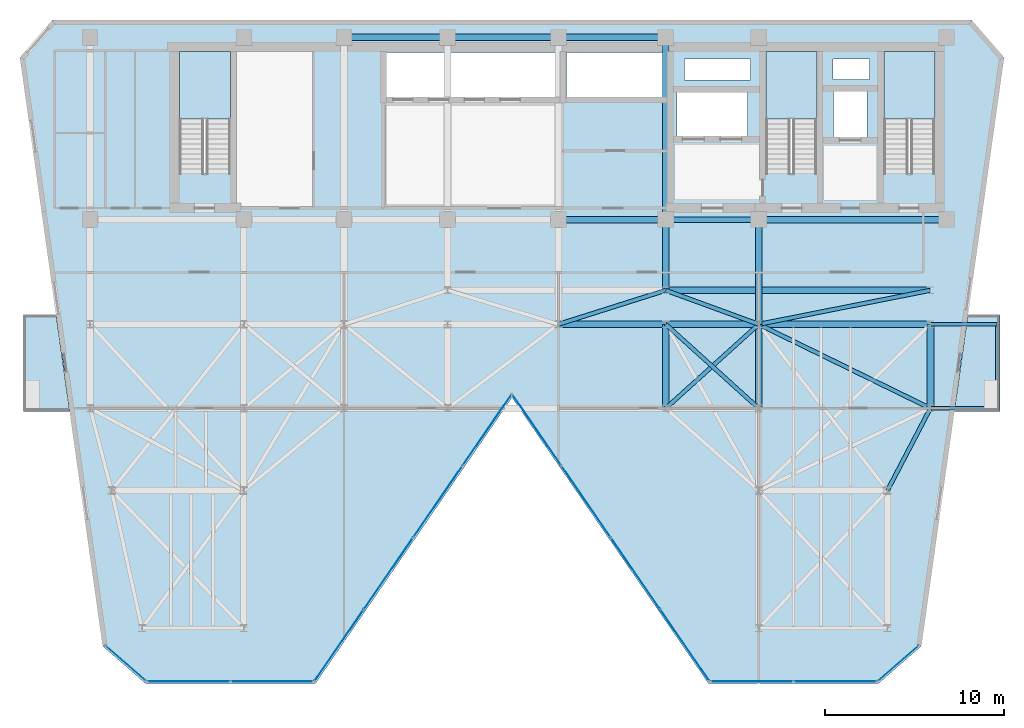
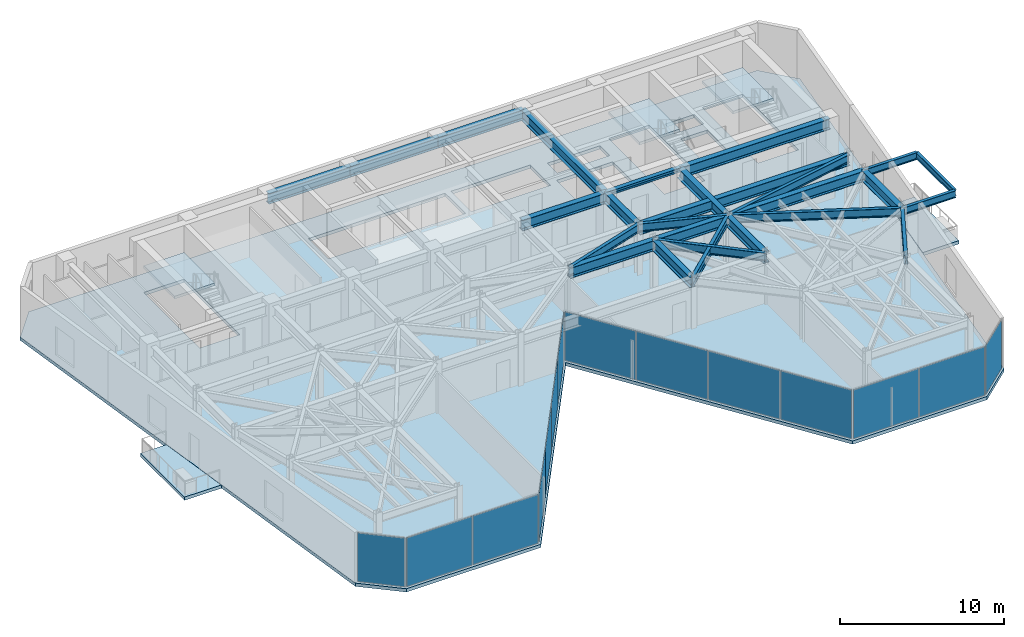
# One storey, part 15 of 21: 26 beams, 14 plates, 6 slabs, 9 elements without a shape of their own.
"""IFC4 building model written with IfcOpenShell, lengths in metres."""

from ifc_helpers import new_model, si_unit, direction, frame, origin, origin_2d, place, context, subcontext, project, spatial, polyline, rectangle, i_section, outline, extrude, material, layer, layer_set, material_profile, profile_set, type_object, element, aggregate, save


model = new_model("IFC4")

# Units and contexts
model_context = context("Model", 3, precision=1e-05, world=origin(), true_north=direction((0.0, 1.0)))
body_context = subcontext(model_context, "Body", "Model", "MODEL_VIEW")
ifc_project = project(units=[si_unit("LENGTHUNIT", "METRE"), si_unit("AREAUNIT", "SQUARE_METRE"), si_unit("VOLUMEUNIT", "CUBIC_METRE"), si_unit("PLANEANGLEUNIT", "RADIAN"), si_unit("MASSUNIT", "GRAM", prefix="KILO")], contexts=[model_context])

# Site, building, storey
site_placement = place(None, origin())
site = spatial("IfcSite", under=ifc_project, at=site_placement, CompositionType="ELEMENT")
building_placement = place(site_placement, origin())
building = spatial("IfcBuilding", under=site, at=building_placement, Name="Kravanh Interchange Tower", CompositionType="ELEMENT")
storey_placement = place(building_placement, frame((0.0, 0.0, 208.5)))
storey = spatial("IfcBuildingStorey", under=building, at=storey_placement, Name="L50", CompositionType="ELEMENT", Elevation=208.5)

# Beams
ifc_material_1 = material(Name="Structural Steel S355", Category="steel")
ifc_material_profile_1 = material_profile(ifc_material_1, i_section(OverallWidth=0.381103515625, OverallDepth=0.77294921875, WebThickness=0.0166015625, FlangeThickness=0.027099609375, FilletRadius=0.02490234375, at=origin_2d()), Name="W30X173")
ifc_profile_set_1 = profile_set([ifc_material_profile_1], Name="Structural Steel S355")
beam_type_1 = type_object("IfcBeamType", Name="Floor Beam W30X173 Structural Steel S355", PredefinedType="BEAM", material=ifc_profile_set_1)
beam_1_placement = place(storey_placement, frame((66.5, 37.35009765625, 3.368408203125), z_axis=(-1.0, 0.0, 0.0), x_axis=(0.0, -1.0, 0.0)))
element("IfcBeam", 1, at=beam_1_placement, inside=storey, type_object=beam_type_1, Name="L50 Primary Floor Girder 5", PredefinedType="BEAM", context=body_context, shape_type="SweptSolid", body=[
    extrude(i_section(OverallWidth=0.381103515625, OverallDepth=0.77294921875, WebThickness=0.0166015625, FlangeThickness=0.027099609375, FilletRadius=0.02490234375, at=origin_2d()), origin(), (0.0, 0.0, 1.0), 10.5),
])
beam_2_placement = place(storey_placement, frame((56.0, 37.35009765625, 3.368408203125), z_axis=(0.0, -1.0, 0.0), x_axis=(1.0, 0.0, 0.0)))
element("IfcBeam", 2, at=beam_2_placement, inside=storey, type_object=beam_type_1, Name="L50 Primary Floor Girder 7", PredefinedType="BEAM", context=body_context, shape_type="SweptSolid", body=[
    extrude(i_section(OverallWidth=0.381103515625, OverallDepth=0.77294921875, WebThickness=0.0166015625, FlangeThickness=0.027099609375, FilletRadius=0.02490234375, at=origin_2d()), origin(), (0.0, 0.0, 1.0), 5.85009765625),
])
beam_3_placement = place(storey_placement, frame((50.800048828125, 47.550048828125, 3.368408203125), z_axis=(-1.0, 0.0, 0.0), x_axis=(0.0, -1.0, 0.0)))
element("IfcBeam", 3, at=beam_3_placement, inside=storey, type_object=beam_type_1, Name="L50 Primary Floor Girder 8", PredefinedType="BEAM", context=body_context, shape_type="SweptSolid", body=[
    extrude(i_section(OverallWidth=0.381103515625, OverallDepth=0.77294921875, WebThickness=0.0166015625, FlangeThickness=0.027099609375, FilletRadius=0.02490234375, at=origin_2d()), origin(), (0.0, 0.0, 1.0), 6.0),
])
beam_4_placement = place(storey_placement, frame((50.800048828125, 47.550048828125, 3.368408203125), z_axis=(0.0, -1.0, 0.0), x_axis=(1.0, 0.0, 0.0)))
element("IfcBeam", 4, at=beam_4_placement, inside=storey, type_object=beam_type_1, Name="L50 Primary Floor Girder 9", PredefinedType="BEAM", context=body_context, shape_type="SweptSolid", body=[
    extrude(i_section(OverallWidth=0.381103515625, OverallDepth=0.77294921875, WebThickness=0.0166015625, FlangeThickness=0.027099609375, FilletRadius=0.02490234375, at=origin_2d()), origin(), (0.0, 0.0, 1.0), 10.199951171875),
])
beam_5_placement = place(storey_placement, frame((50.800048828125, 37.35009765625, 3.368408203125), z_axis=(0.0, -1.0, 0.0), x_axis=(1.0, 0.0, 0.0)))
element("IfcBeam", 5, at=beam_5_placement, inside=storey, type_object=beam_type_1, Name="L50 Primary Floor Girder 10", PredefinedType="BEAM", context=body_context, shape_type="SweptSolid", body=[
    extrude(i_section(OverallWidth=0.381103515625, OverallDepth=0.77294921875, WebThickness=0.0166015625, FlangeThickness=0.027099609375, FilletRadius=0.02490234375, at=origin_2d()), origin(), (0.0, 0.0, 1.0), 3.9501953125),
])
beam_6_placement = place(storey_placement, frame((50.800048828125, 37.35009765625, 3.368408203125), z_axis=(-1.0, 0.0, 0.0), x_axis=(0.0, -1.0, 0.0)))
element("IfcBeam", 6, at=beam_6_placement, inside=storey, type_object=beam_type_1, Name="L50 Primary Floor Girder 11", PredefinedType="BEAM", context=body_context, shape_type="SweptSolid", body=[
    extrude(i_section(OverallWidth=0.381103515625, OverallDepth=0.77294921875, WebThickness=0.0166015625, FlangeThickness=0.027099609375, FilletRadius=0.02490234375, at=origin_2d()), origin(), (0.0, 0.0, 1.0), 6.0),
])
beam_7_placement = place(storey_placement, frame((44.800048828125, 47.550048828125, 3.368408203125), z_axis=(-1.0, 0.0, 0.0), x_axis=(0.0, -1.0, 0.0)))
element("IfcBeam", 7, at=beam_7_placement, inside=storey, type_object=beam_type_1, Name="L50 Primary Floor Girder 15", PredefinedType="BEAM", context=body_context, shape_type="SweptSolid", body=[
    extrude(i_section(OverallWidth=0.381103515625, OverallDepth=0.77294921875, WebThickness=0.0166015625, FlangeThickness=0.027099609375, FilletRadius=0.02490234375, at=origin_2d()), origin(), (0.0, 0.0, 1.0), 6.199951171875),
])
beam_8_placement = place(storey_placement, frame((38.60009765625, 47.550048828125, 3.368408203125), z_axis=(-1.0, 0.0, 0.0), x_axis=(0.0, -1.0, 0.0)))
element("IfcBeam", 8, at=beam_8_placement, inside=storey, type_object=beam_type_1, Name="L50 Primary Floor Girder 19", PredefinedType="BEAM", context=body_context, shape_type="SweptSolid", body=[
    extrude(i_section(OverallWidth=0.381103515625, OverallDepth=0.77294921875, WebThickness=0.0166015625, FlangeThickness=0.027099609375, FilletRadius=0.02490234375, at=origin_2d()), origin(), (0.0, 0.0, 1.0), 5.800048828125),
])
for number, where, z_axis, x_axis, name in (
    (9, (50.800048828125, 26.800048828125, 3.368408203125), (0.0, 1.0, 0.0), (-1.0, 0.0, 0.0), "L50 Primary Floor Girder 49"),
    (10, (56.0, 26.800048828125, 3.368408203125), (0.0, 1.0, 0.0), (-1.0, 0.0, 0.0), "L50 Primary Floor Girder 54"),
    (11, (65.60009765625, 26.800048828125, 3.368408203125), (0.0, 1.0, 0.0), (-1.0, 0.0, 0.0), "L50 Primary Floor Girder 57"),
):
    element("IfcBeam", number, at=place(storey_placement, frame(where, z_axis=z_axis, x_axis=x_axis)), inside=storey, type_object=beam_type_1, Name=name, PredefinedType="BEAM", context=body_context, shape_type="SweptSolid", body=[
        extrude(i_section(OverallWidth=0.381103515625, OverallDepth=0.77294921875, WebThickness=0.0166015625, FlangeThickness=0.027099609375, FilletRadius=0.02490234375, at=origin_2d()), origin(), (0.0, 0.0, 1.0), 4.699951171875),
    ])
beam_9_placement = place(storey_placement, frame((44.800048828125, 31.5, 3.368408203125), z_axis=(1.0, 0.0, 0.0), x_axis=(0.0, 1.0, 0.0)))
element("IfcBeam", 12, at=beam_9_placement, inside=storey, type_object=beam_type_1, Name="L50 Primary Floor Girder 74", PredefinedType="BEAM", context=body_context, shape_type="SweptSolid", body=[
    extrude(i_section(OverallWidth=0.381103515625, OverallDepth=0.77294921875, WebThickness=0.0166015625, FlangeThickness=0.027099609375, FilletRadius=0.02490234375, at=origin_2d()), origin(), (0.0, 0.0, 1.0), 6.0),
])
beam_10_placement = place(storey_placement, frame((50.800048828125, 31.5, 3.368408203125), z_axis=(1.0, 0.0, 0.0), x_axis=(0.0, 1.0, 0.0)))
element("IfcBeam", 13, at=beam_10_placement, inside=storey, type_object=beam_type_1, Name="L50 Primary Floor Girder 77", PredefinedType="BEAM", context=body_context, shape_type="SweptSolid", body=[
    extrude(i_section(OverallWidth=0.381103515625, OverallDepth=0.77294921875, WebThickness=0.0166015625, FlangeThickness=0.027099609375, FilletRadius=0.02490234375, at=origin_2d()), origin(), (0.0, 0.0, 1.0), 5.199951171875),
])
beam_11_placement = place(storey_placement, frame((56.0, 31.5, 3.368408203125), z_axis=(1.0, 0.0, 0.0), x_axis=(0.0, 1.0, 0.0)))
element("IfcBeam", 14, at=beam_11_placement, inside=storey, type_object=beam_type_1, Name="L50 Primary Floor Girder 81", PredefinedType="BEAM", context=body_context, shape_type="SweptSolid", body=[
    extrude(i_section(OverallWidth=0.381103515625, OverallDepth=0.77294921875, WebThickness=0.0166015625, FlangeThickness=0.027099609375, FilletRadius=0.02490234375, at=origin_2d()), origin(), (0.0, 0.0, 1.0), 9.60009765625),
])
beam_12_placement = place(storey_placement, frame((50.800048828125, 33.39990234375, 3.368408203125), z_axis=(1.0, 0.0, 0.0), x_axis=(0.0, 1.0, 0.0)))
element("IfcBeam", 15, at=beam_12_placement, inside=storey, type_object=beam_type_1, Name="L50 Primary Floor Girder 95", PredefinedType="BEAM", context=body_context, shape_type="SweptSolid", body=[
    extrude(i_section(OverallWidth=0.381103515625, OverallDepth=0.77294921875, WebThickness=0.0166015625, FlangeThickness=0.027099609375, FilletRadius=0.02490234375, at=origin_2d()), origin(), (0.0, 0.0, 1.0), 14.800048828125),
])
ifc_material_2 = material(Name="Structural Steel S355", Category="steel")
ifc_material_profile_2 = material_profile(ifc_material_2, i_section(OverallWidth=0.18994140625, OverallDepth=0.45703125, WebThickness=0.009033203125, FlangeThickness=0.014404296875, FilletRadius=0.01806640625, at=origin_2d()), Name="W18X50")
ifc_profile_set_2 = profile_set([ifc_material_profile_2], Name="Structural Steel S355")
beam_type_2 = type_object("IfcBeamType", Name="Floor Joist W18X50 Structural Steel S355", PredefinedType="JOIST", material=ifc_profile_set_2)
beam_13_placement = place(storey_placement, frame((69.330078125, 26.800048828125, 3.526611328125), z_axis=(0.0, 1.0, 0.0), x_axis=(-1.0, 0.0, 0.0)))
element("IfcBeam", 16, at=beam_13_placement, inside=storey, type_object=beam_type_2, Name="L50 Balcony Edge Tie Beam E", PredefinedType="JOIST", context=body_context, shape_type="SweptSolid", body=[
    extrude(i_section(OverallWidth=0.18994140625, OverallDepth=0.45703125, WebThickness=0.009033203125, FlangeThickness=0.014404296875, FilletRadius=0.01806640625, at=origin_2d()), origin(), (0.0, 0.0, 1.0), 4.699951171875),
])
ifc_material_3 = material(Name="Structural Steel S355", Category="steel")
ifc_material_profile_3 = material_profile(ifc_material_3, i_section(OverallWidth=0.304931640625, OverallDepth=0.306884765625, WebThickness=0.010009765625, FlangeThickness=0.015380859375, FilletRadius=0.014892578125, at=origin_2d()), Name="W12X65")
ifc_profile_set_3 = profile_set([ifc_material_profile_3], Name="Structural Steel S355")
beam_type_3 = type_object("IfcBeamType", Name="Floor Lintel W12X65 Structural Steel S355", PredefinedType="LINTEL", material=ifc_profile_set_3)
beam_14_placement = place(storey_placement, frame((50.800048828125, 37.35009765625, 3.6015625), z_axis=(1.0, 0.0, 0.0), x_axis=(0.0, 1.0, 0.0)))
element("IfcBeam", 17, at=beam_14_placement, inside=storey, type_object=beam_type_3, Name="L50 Core Coupling Lintel 1", PredefinedType="LINTEL", context=body_context, shape_type="SweptSolid", body=[
    extrude(i_section(OverallWidth=0.304931640625, OverallDepth=0.306884765625, WebThickness=0.010009765625, FlangeThickness=0.015380859375, FilletRadius=0.014892578125, at=origin_2d()), origin(), (0.0, 0.0, 1.0), 5.199951171875),
])
ifc_material_4 = material(Name="Structural Steel S355", Category="steel")
ifc_material_profile_4 = material_profile(ifc_material_4, i_section(OverallWidth=0.2099609375, OverallDepth=0.537109375, WebThickness=0.010986328125, FlangeThickness=0.017333984375, FilletRadius=0.02001953125, at=origin_2d()), Name="W21X68")
ifc_profile_set_4 = profile_set([ifc_material_profile_4], Name="Structural Steel S355")
beam_type_4 = type_object("IfcBeamType", Name="Floor Spandrel W21X68 Structural Steel S355", PredefinedType="SPANDREL", material=ifc_profile_set_4)
for number, where, z_axis, x_axis, name in (
    (18, (65.60009765625, 26.800048828125, 3.486572265625), (1.0, 0.0, 0.0), (0.0, 1.0, 0.0), "L50 Balcony Cantilever Outrigger E1"),
    (19, (65.60009765625, 31.5, 3.486572265625), (1.0, 0.0, 0.0), (0.0, 1.0, 0.0), "L50 Balcony Cantilever Outrigger E2"),
):
    element("IfcBeam", number, at=place(storey_placement, frame(where, z_axis=z_axis, x_axis=x_axis)), inside=storey, type_object=beam_type_4, Name=name, PredefinedType="SPANDREL", context=body_context, shape_type="SweptSolid", body=[
        extrude(i_section(OverallWidth=0.2099609375, OverallDepth=0.537109375, WebThickness=0.010986328125, FlangeThickness=0.017333984375, FilletRadius=0.02001953125, at=origin_2d()), origin(), (0.0, 0.0, 1.0), 3.72998046875),
    ])
ifc_material_5 = material(Name="Structural Steel S355", Category="steel")
ifc_material_profile_5 = material_profile(ifc_material_5, i_section(OverallWidth=0.22802734375, OverallDepth=0.60791015625, WebThickness=0.01123046875, FlangeThickness=0.017333984375, FilletRadius=0.02197265625, at=origin_2d()), Name="W24X76")
ifc_profile_set_5 = profile_set([ifc_material_profile_5], Name="Structural Steel S355")
beam_type_5 = type_object("IfcBeamType", Name="Floor Spandrel W24X76 Structural Steel S355", PredefinedType="SPANDREL", material=ifc_profile_set_5)
for number, where, z_axis, x_axis, name in (
    (20, (50.800048828125, 26.800048828125, 3.450927734375), (0.741874009795, 0.670539300557, 0.0), (-0.670539300557, 0.741874009795, 0.0), "L50 Perimeter Spandrel 52"),
    (21, (56.0, 26.800048828125, 3.450927734375), (-0.741874009795, 0.670539300557, 0.0), (-0.670539300557, -0.741874009795, 0.0), "L50 Perimeter Spandrel 55"),
):
    element("IfcBeam", number, at=place(storey_placement, frame(where, z_axis=z_axis, x_axis=x_axis)), inside=storey, type_object=beam_type_5, Name=name, PredefinedType="SPANDREL", context=body_context, shape_type="SweptSolid", body=[
        extrude(i_section(OverallWidth=0.22802734375, OverallDepth=0.60791015625, WebThickness=0.01123046875, FlangeThickness=0.017333984375, FilletRadius=0.02197265625, at=origin_2d()), origin(), (0.0, 0.0, 1.0), 7.00927734375),
    ])
beam_15_placement = place(storey_placement, frame((65.60009765625, 26.800048828125, 3.450927734375), z_axis=(-0.462580479178, -0.886577295155, 0.0), x_axis=(0.886577295155, -0.462580479178, 0.0)))
element("IfcBeam", 22, at=beam_15_placement, inside=storey, type_object=beam_type_5, Name="L50 Perimeter Spandrel 58", PredefinedType="SPANDREL", context=body_context, shape_type="SweptSolid", body=[
    extrude(i_section(OverallWidth=0.22802734375, OverallDepth=0.60791015625, WebThickness=0.01123046875, FlangeThickness=0.017333984375, FilletRadius=0.02197265625, at=origin_2d()), origin(), (0.0, 0.0, 1.0), 5.188720703125),
])
beam_16_placement = place(storey_placement, frame((65.60009765625, 26.800048828125, 3.450927734375), z_axis=(-0.898141688387, 0.439706160499, 0.0), x_axis=(-0.439706160499, -0.898141688387, 0.0)))
element("IfcBeam", 23, at=beam_16_placement, inside=storey, type_object=beam_type_5, Name="L50 Perimeter Spandrel 60", PredefinedType="SPANDREL", context=body_context, shape_type="SweptSolid", body=[
    extrude(i_section(OverallWidth=0.22802734375, OverallDepth=0.60791015625, WebThickness=0.01123046875, FlangeThickness=0.017333984375, FilletRadius=0.02197265625, at=origin_2d()), origin(), (0.0, 0.0, 1.0), 10.68896484375),
])
beam_17_placement = place(storey_placement, frame((44.800048828125, 31.5, 3.450927734375), z_axis=(0.953346691051, 0.301877602122, 0.0), x_axis=(-0.301877602122, 0.953346691051, 0.0)))
element("IfcBeam", 24, at=beam_17_placement, inside=storey, type_object=beam_type_5, Name="L50 Perimeter Spandrel 75", PredefinedType="SPANDREL", context=body_context, shape_type="SweptSolid", body=[
    extrude(i_section(OverallWidth=0.22802734375, OverallDepth=0.60791015625, WebThickness=0.01123046875, FlangeThickness=0.017333984375, FilletRadius=0.02197265625, at=origin_2d()), origin(), (0.0, 0.0, 1.0), 6.293701171875),
])
beam_18_placement = place(storey_placement, frame((56.0, 31.5, 3.450927734375), z_axis=(-0.93926957103, 0.343180233896, 0.0), x_axis=(-0.343180233896, -0.93926957103, 0.0)))
element("IfcBeam", 25, at=beam_18_placement, inside=storey, type_object=beam_type_5, Name="L50 Perimeter Spandrel 80", PredefinedType="SPANDREL", context=body_context, shape_type="SweptSolid", body=[
    extrude(i_section(OverallWidth=0.22802734375, OverallDepth=0.60791015625, WebThickness=0.01123046875, FlangeThickness=0.017333984375, FilletRadius=0.02197265625, at=origin_2d()), origin(), (0.0, 0.0, 1.0), 5.5361328125),
])
beam_19_placement = place(storey_placement, frame((56.0, 31.5, 3.450927734375), z_axis=(0.980974000807, 0.194139150457, 0.0), x_axis=(-0.194139150457, 0.980974000807, 0.0)))
element("IfcBeam", 26, at=beam_19_placement, inside=storey, type_object=beam_type_5, Name="L50 Perimeter Spandrel 82", PredefinedType="SPANDREL", context=body_context, shape_type="SweptSolid", body=[
    extrude(i_section(OverallWidth=0.22802734375, OverallDepth=0.60791015625, WebThickness=0.01123046875, FlangeThickness=0.017333984375, FilletRadius=0.02197265625, at=origin_2d()), origin(), (0.0, 0.0, 1.0), 9.786376953125),
])

# Slab
ifc_material_6 = material(Name="Concrete C50/60", Category="concrete")
ifc_layer_1 = layer(ifc_material_6, 0.2451171875)
ifc_layer_set_1 = layer_set([ifc_layer_1], Name="Composite Floor Slab Concrete C50/60 245mm")
slab_type_1 = type_object("IfcSlabType", Name="Composite Floor Slab Concrete C50/60 245mm", PredefinedType="FLOOR", material=ifc_layer_set_1)
slab_1_placement = place(storey_placement, frame((0.0, 0.0, -0.2451171875)))
element("IfcSlab", 27, at=slab_1_placement, inside=storey, type_object=slab_type_1, Name="L50 Structural Floor Slab", PredefinedType="FLOOR", context=body_context, shape_type="SweptSolid", body=[
    extrude(outline(polyline([(19.32177734375, 13.4794921875), (21.714111328125, 11.39990234375), (31.199951171875, 11.39990234375), (42.199951171875, 27.39990234375), (53.199951171875, 11.39990234375), (62.685791015625, 11.39990234375), (65.078125, 13.4794921875), (69.707763671875, 46.42041015625), (67.89990234375, 48.5), (16.5, 48.5), (14.6923828125, 46.42041015625), (19.32177734375, 13.4794921875)]), holes=[polyline([(65.85009765625, 39.925048828125), (65.85009765625, 46.75), (63.0, 46.75), (63.0, 39.925048828125), (65.85009765625, 39.925048828125)]), polyline([(59.25, 39.925048828125), (59.25, 46.75), (56.39990234375, 46.75), (56.39990234375, 39.925048828125), (59.25, 39.925048828125)]), polyline([(26.449951171875, 39.925048828125), (26.449951171875, 46.75), (23.60009765625, 46.75), (23.60009765625, 39.925048828125), (26.449951171875, 39.925048828125)]), polyline([(35.179931640625, 44.219970703125), (44.840087890625, 44.219970703125), (44.840087890625, 46.699951171875), (35.179931640625, 46.699951171875), (35.179931640625, 44.219970703125)]), polyline([(45.239990234375, 44.219970703125), (50.840087890625, 44.219970703125), (50.840087890625, 46.699951171875), (45.239990234375, 46.699951171875), (45.239990234375, 44.219970703125)]), polyline([(51.419921875, 42.02001953125), (55.3798828125, 42.02001953125), (55.3798828125, 44.47998046875), (51.419921875, 44.47998046875), (51.419921875, 42.02001953125)]), polyline([(60.179931640625, 41.97998046875), (62.06005859375, 41.97998046875), (62.06005859375, 44.52001953125), (60.179931640625, 44.52001953125), (60.179931640625, 41.97998046875)]), polyline([(60.14990234375, 45.199951171875), (62.199951171875, 45.199951171875), (62.199951171875, 46.35009765625), (60.14990234375, 46.35009765625), (60.14990234375, 45.199951171875)]), polyline([(51.85009765625, 45.14990234375), (55.550048828125, 45.14990234375), (55.550048828125, 46.35009765625), (51.85009765625, 46.35009765625), (51.85009765625, 45.14990234375)])]), origin(), (0.0, 0.0, 1.0), 0.2451171875),
])

# Stair, slab
ifc_material_7 = material(Name="Concrete C50/60", Category="concrete")
stair_type = type_object("IfcStairType", Name="Core Fire Exit Dogleg Stair Concrete C50/60", PredefinedType="HALF_TURN_STAIR", material=ifc_material_7)
stair_1_placement = place(storey_placement, origin())
stair_1 = element("IfcStair", 28, at=stair_1_placement, inside=storey, type_object=stair_type, Name="L50 Exit Stair ST1", PredefinedType="HALF_TURN_STAIR")
ifc_material_8 = material(Name="Concrete C50/60", Category="concrete")
ifc_layer_2 = layer(ifc_material_8, 0.199951171875)
ifc_layer_set_2 = layer_set([ifc_layer_2], Name="Concrete C50/60 Stair Half-Landing Slab 200mm")
slab_type_2 = type_object("IfcSlabType", Name="Concrete C50/60 Stair Half-Landing Slab 200mm", PredefinedType="LANDING", material=ifc_layer_set_2)
slab_2_placement = place(storey_placement, frame((0.0, 0.0, 1.800048828125)))
slab_2 = element("IfcSlab", 29, at=slab_2_placement, type_object=slab_type_2, Name="ST1 landing 1", PredefinedType="LANDING", context=body_context, shape_type="SweptSolid", body=[
    extrude(outline(polyline([(65.85009765625, 42.97998046875), (65.85009765625, 46.75), (63.0, 46.75), (63.0, 42.97998046875), (65.85009765625, 42.97998046875)])), origin(), (0.0, 0.0, 1.0), 0.199951171875),
])
aggregate(stair_1, [slab_2])

stair_2_placement = place(storey_placement, origin())
stair_2 = element("IfcStair", 30, at=stair_2_placement, inside=storey, type_object=stair_type, Name="L50 Exit Stair ST2", PredefinedType="HALF_TURN_STAIR")
slab_3_placement = place(storey_placement, frame((0.0, 0.0, 1.800048828125)))
slab_3 = element("IfcSlab", 31, at=slab_3_placement, type_object=slab_type_2, Name="ST2 landing 1", PredefinedType="LANDING", context=body_context, shape_type="SweptSolid", body=[
    extrude(outline(polyline([(59.25, 42.97998046875), (59.25, 46.75), (56.39990234375, 46.75), (56.39990234375, 42.97998046875), (59.25, 42.97998046875)])), origin(), (0.0, 0.0, 1.0), 0.199951171875),
])
aggregate(stair_2, [slab_3])

stair_3_placement = place(storey_placement, origin())
stair_3 = element("IfcStair", 32, at=stair_3_placement, inside=storey, type_object=stair_type, Name="L50 Exit Stair ST3", PredefinedType="HALF_TURN_STAIR")
slab_4_placement = place(storey_placement, frame((0.0, 0.0, 1.800048828125)))
slab_4 = element("IfcSlab", 33, at=slab_4_placement, type_object=slab_type_2, Name="ST3 landing 1", PredefinedType="LANDING", context=body_context, shape_type="SweptSolid", body=[
    extrude(outline(polyline([(26.449951171875, 42.97998046875), (26.449951171875, 46.75), (23.60009765625, 46.75), (23.60009765625, 42.97998046875), (26.449951171875, 42.97998046875)])), origin(), (0.0, 0.0, 1.0), 0.199951171875),
])
aggregate(stair_3, [slab_4])

# Curtain wall, plate
ifc_material_9 = material(Name="Anodised Bronze Aluminium", Category="aluminium")
ifc_layer_3 = layer(ifc_material_9, 0.179931640625)
ifc_layer_set_3 = layer_set([ifc_layer_3], Name="Unitised Curtain Wall System CW-Z3 Upper Office")
curtain_wall_type = type_object("IfcCurtainWallType", Name="Unitised Curtain Wall System CW-Z3 Upper Office", PredefinedType="NOTDEFINED", material=ifc_layer_set_3)
curtain_wall_1_placement = place(storey_placement, origin())
curtain_wall_1 = element("IfcCurtainWall", 34, at=curtain_wall_1_placement, inside=storey, type_object=curtain_wall_type, Name="L50 Unitised Curtain Wall CW-L50-01", PredefinedType="NOTDEFINED")
ifc_material_10 = material(Name="Low-E Laminated Architectural Glass", Category="glass")
ifc_layer_4 = layer(ifc_material_10, 0.02392578125)
ifc_layer_set_4 = layer_set([ifc_layer_4], Name="High-Selectivity Double Glazing 24mm")
plate_type = type_object("IfcPlateType", Name="High-Selectivity Double Glazing 24mm", PredefinedType="CURTAIN_PANEL", material=ifc_layer_set_4)
plate_1_placement = place(storey_placement, frame((63.80322265625, 12.5302734375, 0.06005859375), z_axis=(0.0, 0.0, 1.0), x_axis=(-0.754716645379, -0.65605090137, 0.0)))
plate_1 = element("IfcPlate", 35, at=plate_1_placement, type_object=plate_type, Name="CW-Z3 panel 1.1", PredefinedType="CURTAIN_PANEL", context=body_context, shape_type="SweptSolid", body=[
    extrude(rectangle(XDim=2.960205078125, YDim=0.02392578125, at=origin_2d()), origin(), (0.0, 0.0, 1.0), 3.635009765625),
])
aggregate(curtain_wall_1, [plate_1])

# Curtain wall, plates
curtain_wall_2_placement = place(storey_placement, origin())
curtain_wall_2 = element("IfcCurtainWall", 36, at=curtain_wall_2_placement, inside=storey, type_object=curtain_wall_type, Name="L50 Unitised Curtain Wall CW-L50-02", PredefinedType="NOTDEFINED")
plate_2_placement = place(storey_placement, frame((60.281494140625, 11.52001953125, 0.06005859375), z_axis=(0.0, 0.0, 1.0), x_axis=(-1.0, 0.0, 0.0)))
plate_2 = element("IfcPlate", 37, at=plate_2_placement, type_object=plate_type, Name="CW-Z3 panel 1.1", PredefinedType="CURTAIN_PANEL", context=body_context, shape_type="SweptSolid", body=[
    extrude(rectangle(XDim=4.598876953125, YDim=0.02392578125, at=origin_2d()), origin(), (0.0, 0.0, 1.0), 3.635009765625),
])
plate_3_placement = place(storey_placement, frame((55.62255859375, 11.52001953125, 0.06005859375), z_axis=(0.0, 0.0, 1.0), x_axis=(-1.0, 0.0, 0.0)))
plate_3 = element("IfcPlate", 38, at=plate_3_placement, type_object=plate_type, Name="CW-Z3 panel 2.1", PredefinedType="CURTAIN_PANEL", context=body_context, shape_type="SweptSolid", body=[
    extrude(rectangle(XDim=4.598876953125, YDim=0.02392578125, at=origin_2d()), origin(), (0.0, 0.0, 1.0), 3.635009765625),
])
aggregate(curtain_wall_2, [plate_2, plate_3])

curtain_wall_3_placement = place(storey_placement, origin())
curtain_wall_3 = element("IfcCurtainWall", 39, at=curtain_wall_3_placement, inside=storey, type_object=curtain_wall_type, Name="L50 Unitised Curtain Wall CW-L50-03", PredefinedType="NOTDEFINED")
plate_4_placement = place(storey_placement, frame((51.871826171875, 13.5439453125, 0.06005859375), z_axis=(0.0, 0.0, 1.0), x_axis=(-0.566528388217, 0.824042223035, 0.0)))
plate_4 = element("IfcPlate", 40, at=plate_4_placement, type_object=plate_type, Name="CW-Z3 panel 1.1", PredefinedType="CURTAIN_PANEL", context=body_context, shape_type="SweptSolid", body=[
    extrude(rectangle(XDim=4.7919921875, YDim=0.02392578125, at=origin_2d()), origin(), (0.0, 0.0, 1.0), 3.635009765625),
])
plate_5_placement = place(storey_placement, frame((49.114501953125, 17.554443359375, 0.06005859375), z_axis=(0.0, 0.0, 1.0), x_axis=(-0.566528388217, 0.824042223035, 0.0)))
plate_5 = element("IfcPlate", 41, at=plate_5_placement, type_object=plate_type, Name="CW-Z3 panel 2.1", PredefinedType="CURTAIN_PANEL", context=body_context, shape_type="SweptSolid", body=[
    extrude(rectangle(XDim=4.822021484375, YDim=0.02392578125, at=origin_2d()), origin(), (0.0, 0.0, 1.0), 3.635009765625),
])
plate_6_placement = place(storey_placement, frame((46.3486328125, 21.577392578125, 0.06005859375), z_axis=(0.0, 0.0, 1.0), x_axis=(-0.566528388217, 0.824042223035, 0.0)))
plate_6 = element("IfcPlate", 42, at=plate_6_placement, type_object=plate_type, Name="CW-Z3 panel 3.1", PredefinedType="CURTAIN_PANEL", context=body_context, shape_type="SweptSolid", body=[
    extrude(rectangle(XDim=4.822021484375, YDim=0.02392578125, at=origin_2d()), origin(), (0.0, 0.0, 1.0), 3.635009765625),
])
plate_7_placement = place(storey_placement, frame((43.59130859375, 25.587890625, 0.06005859375), z_axis=(0.0, 0.0, 1.0), x_axis=(-0.566528388217, 0.824042223035, 0.0)))
plate_7 = element("IfcPlate", 43, at=plate_7_placement, type_object=plate_type, Name="CW-Z3 panel 4.1", PredefinedType="CURTAIN_PANEL", context=body_context, shape_type="SweptSolid", body=[
    extrude(rectangle(XDim=4.7919921875, YDim=0.02392578125, at=origin_2d()), origin(), (0.0, 0.0, 1.0), 3.635009765625),
])
aggregate(curtain_wall_3, [plate_4, plate_5, plate_6, plate_7])

curtain_wall_4_placement = place(storey_placement, origin())
curtain_wall_4 = element("IfcCurtainWall", 44, at=curtain_wall_4_placement, inside=storey, type_object=curtain_wall_type, Name="L50 Unitised Curtain Wall CW-L50-04", PredefinedType="NOTDEFINED")
plate_8_placement = place(storey_placement, frame((40.80859375, 25.587890625, 0.06005859375), z_axis=(0.0, 0.0, 1.0), x_axis=(-0.566528388217, -0.824042223035, 0.0)))
plate_8 = element("IfcPlate", 45, at=plate_8_placement, type_object=plate_type, Name="CW-Z3 panel 1.1", PredefinedType="CURTAIN_PANEL", context=body_context, shape_type="SweptSolid", body=[
    extrude(rectangle(XDim=4.7919921875, YDim=0.02392578125, at=origin_2d()), origin(), (0.0, 0.0, 1.0), 3.635009765625),
])
plate_9_placement = place(storey_placement, frame((38.05126953125, 21.577392578125, 0.06005859375), z_axis=(0.0, 0.0, 1.0), x_axis=(-0.566528388217, -0.824042223035, 0.0)))
plate_9 = element("IfcPlate", 46, at=plate_9_placement, type_object=plate_type, Name="CW-Z3 panel 2.1", PredefinedType="CURTAIN_PANEL", context=body_context, shape_type="SweptSolid", body=[
    extrude(rectangle(XDim=4.822021484375, YDim=0.02392578125, at=origin_2d()), origin(), (0.0, 0.0, 1.0), 3.635009765625),
])
plate_10_placement = place(storey_placement, frame((35.28564453125, 17.554443359375, 0.06005859375), z_axis=(0.0, 0.0, 1.0), x_axis=(-0.566528388217, -0.824042223035, 0.0)))
plate_10 = element("IfcPlate", 47, at=plate_10_placement, type_object=plate_type, Name="CW-Z3 panel 3.1", PredefinedType="CURTAIN_PANEL", context=body_context, shape_type="SweptSolid", body=[
    extrude(rectangle(XDim=4.822021484375, YDim=0.02392578125, at=origin_2d()), origin(), (0.0, 0.0, 1.0), 3.635009765625),
])
plate_11_placement = place(storey_placement, frame((32.5283203125, 13.5439453125, 0.06005859375), z_axis=(0.0, 0.0, 1.0), x_axis=(-0.566528388217, -0.824042223035, 0.0)))
plate_11 = element("IfcPlate", 48, at=plate_11_placement, type_object=plate_type, Name="CW-Z3 panel 4.1", PredefinedType="CURTAIN_PANEL", context=body_context, shape_type="SweptSolid", body=[
    extrude(rectangle(XDim=4.7919921875, YDim=0.02392578125, at=origin_2d()), origin(), (0.0, 0.0, 1.0), 3.635009765625),
])
aggregate(curtain_wall_4, [plate_8, plate_9, plate_10, plate_11])

curtain_wall_5_placement = place(storey_placement, origin())
curtain_wall_5 = element("IfcCurtainWall", 49, at=curtain_wall_5_placement, inside=storey, type_object=curtain_wall_type, Name="L50 Unitised Curtain Wall CW-L50-05", PredefinedType="NOTDEFINED")
plate_12_placement = place(storey_placement, frame((28.77734375, 11.52001953125, 0.06005859375), z_axis=(0.0, 0.0, 1.0), x_axis=(-1.0, 0.0, 0.0)))
plate_12 = element("IfcPlate", 50, at=plate_12_placement, type_object=plate_type, Name="CW-Z3 panel 1.1", PredefinedType="CURTAIN_PANEL", context=body_context, shape_type="SweptSolid", body=[
    extrude(rectangle(XDim=4.598876953125, YDim=0.02392578125, at=origin_2d()), origin(), (0.0, 0.0, 1.0), 3.635009765625),
])
plate_13_placement = place(storey_placement, frame((24.118408203125, 11.52001953125, 0.06005859375), z_axis=(0.0, 0.0, 1.0), x_axis=(-1.0, 0.0, 0.0)))
plate_13 = element("IfcPlate", 51, at=plate_13_placement, type_object=plate_type, Name="CW-Z3 panel 2.1", PredefinedType="CURTAIN_PANEL", context=body_context, shape_type="SweptSolid", body=[
    extrude(rectangle(XDim=4.598876953125, YDim=0.02392578125, at=origin_2d()), origin(), (0.0, 0.0, 1.0), 3.635009765625),
])
aggregate(curtain_wall_5, [plate_12, plate_13])

# Curtain wall, plate
curtain_wall_6_placement = place(storey_placement, origin())
curtain_wall_6 = element("IfcCurtainWall", 52, at=curtain_wall_6_placement, inside=storey, type_object=curtain_wall_type, Name="L50 Unitised Curtain Wall CW-L50-06", PredefinedType="NOTDEFINED")
plate_14_placement = place(storey_placement, frame((20.5966796875, 12.5302734375, 0.06005859375), z_axis=(0.0, 0.0, 1.0), x_axis=(-0.754716645379, 0.65605090137, 0.0)))
plate_14 = element("IfcPlate", 53, at=plate_14_placement, type_object=plate_type, Name="CW-Z3 panel 1.1", PredefinedType="CURTAIN_PANEL", context=body_context, shape_type="SweptSolid", body=[
    extrude(rectangle(XDim=2.960205078125, YDim=0.02392578125, at=origin_2d()), origin(), (0.0, 0.0, 1.0), 3.635009765625),
])
aggregate(curtain_wall_6, [plate_14])

# Slabs
ifc_material_11 = material(Name="Concrete C50/60", Category="concrete")
ifc_layer_5 = layer(ifc_material_11, 0.199951171875)
ifc_layer_set_5 = layer_set([ifc_layer_5], Name="Planted Tree Balcony Slab Concrete C50/60 200mm")
slab_type_3 = type_object("IfcSlabType", Name="Planted Tree Balcony Slab Concrete C50/60 200mm", PredefinedType="USERDEFINED", material=ifc_layer_set_5)
slab_5_placement = place(storey_placement, frame((0.0, 0.0, -0.2451171875)))
element("IfcSlab", 54, at=slab_5_placement, inside=storey, type_object=slab_type_3, Name="L50 East Tree Planter Balcony Slab", ObjectType="BALCONY", PredefinedType="USERDEFINED", context=body_context, shape_type="SweptSolid", body=[
    extrude(outline(polyline([(69.489990234375, 32.030029296875), (69.489990234375, 26.6298828125), (66.94140625, 26.6298828125), (67.700439453125, 32.030029296875), (69.489990234375, 32.030029296875)])), origin(), (0.0, 0.0, 1.0), 0.2451171875),
])
slab_6_placement = place(storey_placement, frame((0.0, 0.0, -0.2451171875)))
element("IfcSlab", 55, at=slab_6_placement, inside=storey, type_object=slab_type_3, Name="L50 West Tree Planter Balcony Slab", ObjectType="BALCONY", PredefinedType="USERDEFINED", context=body_context, shape_type="SweptSolid", body=[
    extrude(outline(polyline([(14.864990234375, 26.6298828125), (14.864990234375, 32.030029296875), (16.69970703125, 32.030029296875), (17.45849609375, 26.6298828125), (14.864990234375, 26.6298828125)])), origin(), (0.0, 0.0, 1.0), 0.2451171875),
])

save(model, "model.ifc")
